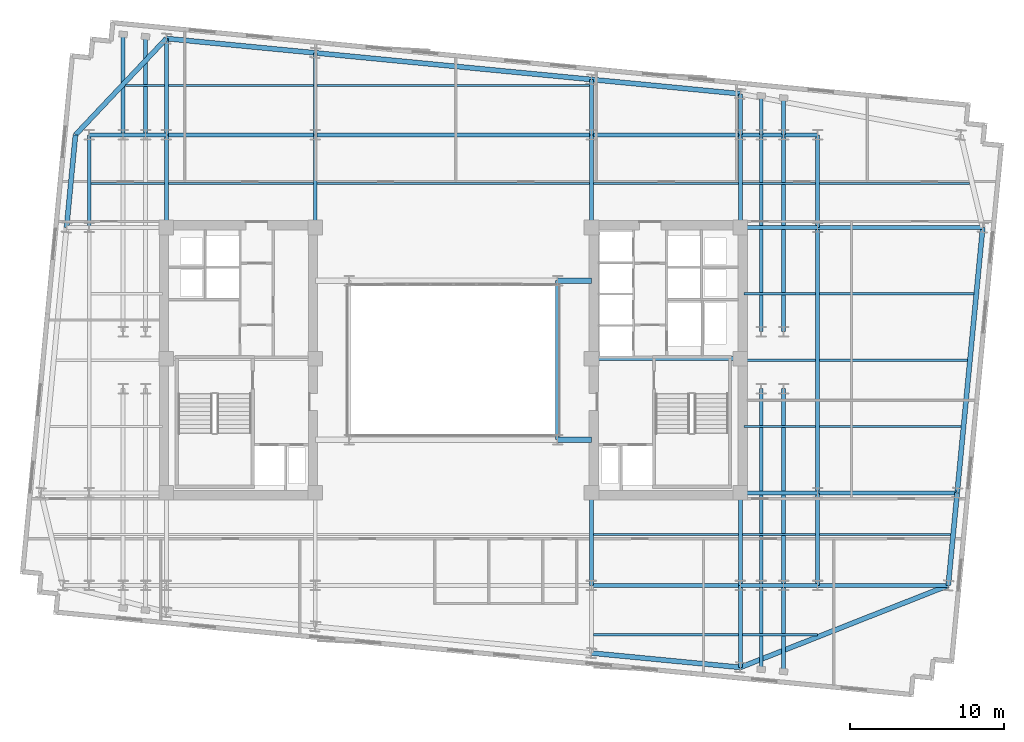
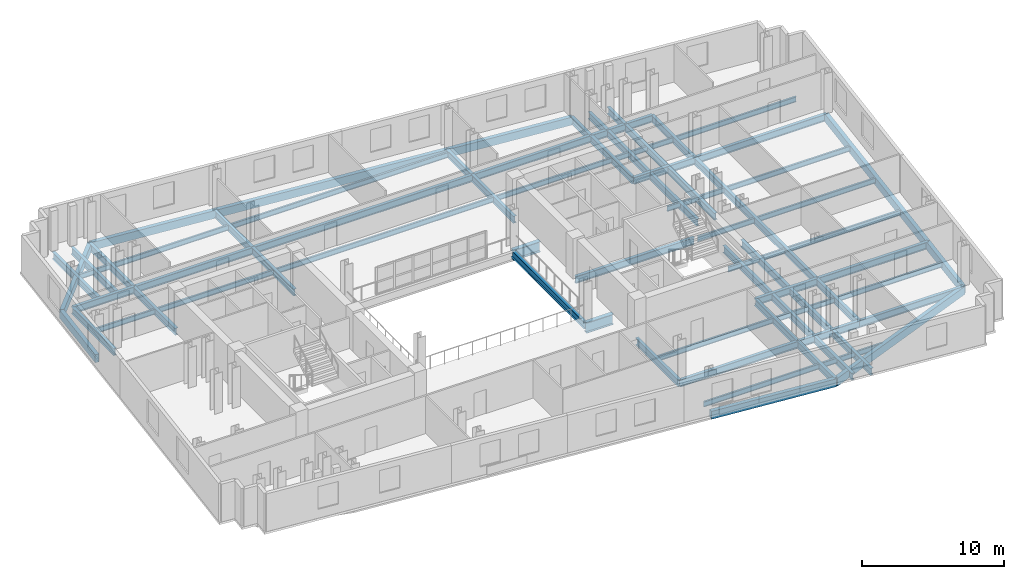
# One storey, part 3 of 10: 70 beams.
"""IFC4 building model written with IfcOpenShell, lengths in metres."""

from ifc_helpers import new_model, si_unit, direction, frame, origin, origin_2d, place, context, subcontext, project, spatial, rectangle, i_section, extrude, material, material_profile, profile_set, type_object, element, save


model = new_model("IFC4")

# Units and contexts
model_context = context("Model", 3, precision=1e-05, world=origin(), true_north=direction((0.0, 1.0)))
body_context = subcontext(model_context, "Body", "Model", "MODEL_VIEW")
ifc_project = project(units=[si_unit("LENGTHUNIT", "METRE"), si_unit("AREAUNIT", "SQUARE_METRE"), si_unit("VOLUMEUNIT", "CUBIC_METRE"), si_unit("PLANEANGLEUNIT", "RADIAN"), si_unit("MASSUNIT", "GRAM", prefix="KILO")], contexts=[model_context])

# Site, building, storey
site_placement = place(None, origin())
site = spatial("IfcSite", under=ifc_project, at=site_placement, CompositionType="ELEMENT")
building_placement = place(site_placement, origin())
building = spatial("IfcBuilding", under=site, at=building_placement, Name="Velakula Bourse", CompositionType="ELEMENT")
storey_placement = place(building_placement, frame((0.0, 0.0, 188.0)))
storey = spatial("IfcBuildingStorey", under=building, at=storey_placement, Name="L51", CompositionType="ELEMENT", Elevation=188.0)

# Beams
ifc_material_1 = material(Name="Steel IS 2062 Grade 350 (E350)", Category="steel")
ifc_material_profile_1 = material_profile(ifc_material_1, i_section(OverallWidth=0.25, OverallDepth=0.60009765625, WebThickness=0.01123046875, FlangeThickness=0.021240234375, at=origin_2d()), Name="Steel IS 2062 Grade 350 (E350)")
ifc_profile_set_1 = profile_set([ifc_material_profile_1], Name="Steel IS 2062 Grade 350 (E350)")
beam_type_1 = type_object("IfcBeamType", Name="BM-GRD-600M", PredefinedType="BEAM", material=ifc_profile_set_1)
beam_1_placement = place(storey_placement, frame((8.949951171875, 0.10009765625, -0.47998046875), z_axis=(1.0, 0.0, 0.0), x_axis=(0.0, 1.0, 0.0)))
element("IfcBeam", 1, at=beam_1_placement, inside=storey, type_object=beam_type_1, Name="L51 Primary Backbone Girder CRE-M", PredefinedType="BEAM", context=body_context, shape_type="SweptSolid", body=[
    extrude(i_section(OverallWidth=0.25, OverallDepth=0.60009765625, WebThickness=0.01123046875, FlangeThickness=0.021240234375, at=origin_2d()), origin(), (0.0, 0.0, 1.0), 9.650146484375),
])
beam_2_placement = place(storey_placement, frame((6.75, -5.14990234375, -0.47998046875), z_axis=(0.0, 1.0, 0.0), x_axis=(-1.0, 0.0, 0.0)))
element("IfcBeam", 2, at=beam_2_placement, inside=storey, type_object=beam_type_1, Name="L51 Primary Backbone Girder SPN-E", PredefinedType="BEAM", context=body_context, shape_type="SweptSolid", body=[
    extrude(i_section(OverallWidth=0.25, OverallDepth=0.60009765625, WebThickness=0.01123046875, FlangeThickness=0.021240234375, at=origin_2d()), origin(), (0.0, 0.0, 1.0), 10.2998046875),
])
for number, where, z_axis, x_axis, name in (
    (3, (-18.60009765625, 8.60009765625, -0.47998046875), (0.0, 1.0, 0.0), (-1.0, 0.0, 0.0), "L51 Fulcrum Grid Girder FLC-WN"),
    (4, (-8.949951171875, 8.60009765625, -0.47998046875), (0.0, 1.0, 0.0), (-1.0, 0.0, 0.0), "L51 Fulcrum Grid Girder FLC-WCN"),
    (5, (8.949951171875, -14.60009765625, -0.47998046875), (0.0, 1.0, 0.0), (-1.0, 0.0, 0.0), "L51 Fulcrum Grid Girder FLC-ECS"),
    (6, (8.949951171875, 8.60009765625, -0.47998046875), (0.0, 1.0, 0.0), (-1.0, 0.0, 0.0), "L51 Fulcrum Grid Girder FLC-ECN"),
    (7, (18.60009765625, -14.60009765625, -0.47998046875), (0.0, 1.0, 0.0), (-1.0, 0.0, 0.0), "L51 Fulcrum Grid Girder FLC-ES"),
    (8, (18.60009765625, 8.60009765625, -0.47998046875), (0.0, 1.0, 0.0), (-1.0, 0.0, 0.0), "L51 Fulcrum Grid Girder FLC-EN"),
):
    element("IfcBeam", number, at=place(storey_placement, frame(where, z_axis=z_axis, x_axis=x_axis)), inside=storey, type_object=beam_type_1, Name=name, PredefinedType="BEAM", context=body_context, shape_type="SweptSolid", body=[
        extrude(i_section(OverallWidth=0.25, OverallDepth=0.60009765625, WebThickness=0.01123046875, FlangeThickness=0.021240234375, at=origin_2d()), origin(), (0.0, 0.0, 1.0), 6.0),
    ])
for number, where, z_axis, x_axis, name in (
    (9, (8.949951171875, -14.60009765625, -0.47998046875), (1.0, 0.0, 0.0), (0.0, 1.0, 0.0), "L51 Fulcrum Grid Girder FLC-S3"),
    (10, (-18.60009765625, 14.60009765625, -0.47998046875), (1.0, 0.0, 0.0), (0.0, 1.0, 0.0), "L51 Fulcrum Grid Girder FLC-N1"),
):
    element("IfcBeam", number, at=place(storey_placement, frame(where, z_axis=z_axis, x_axis=x_axis)), inside=storey, type_object=beam_type_1, Name=name, PredefinedType="BEAM", context=body_context, shape_type="SweptSolid", body=[
        extrude(i_section(OverallWidth=0.25, OverallDepth=0.60009765625, WebThickness=0.01123046875, FlangeThickness=0.021240234375, at=origin_2d()), origin(), (0.0, 0.0, 1.0), 9.650146484375),
    ])
beam_3_placement = place(storey_placement, frame((-8.949951171875, 14.60009765625, -0.47998046875), z_axis=(1.0, 0.0, 0.0), x_axis=(0.0, 1.0, 0.0)))
element("IfcBeam", 11, at=beam_3_placement, inside=storey, type_object=beam_type_1, Name="L51 Fulcrum Grid Girder FLC-N2", PredefinedType="BEAM", context=body_context, shape_type="SweptSolid", body=[
    extrude(i_section(OverallWidth=0.25, OverallDepth=0.60009765625, WebThickness=0.01123046875, FlangeThickness=0.021240234375, at=origin_2d()), origin(), (0.0, 0.0, 1.0), 17.89990234375),
])
beam_4_placement = place(storey_placement, frame((8.949951171875, 14.60009765625, -0.47998046875), z_axis=(1.0, 0.0, 0.0), x_axis=(0.0, 1.0, 0.0)))
element("IfcBeam", 12, at=beam_4_placement, inside=storey, type_object=beam_type_1, Name="L51 Fulcrum Grid Girder FLC-N3", PredefinedType="BEAM", context=body_context, shape_type="SweptSolid", body=[
    extrude(i_section(OverallWidth=0.25, OverallDepth=0.60009765625, WebThickness=0.01123046875, FlangeThickness=0.021240234375, at=origin_2d()), origin(), (0.0, 0.0, 1.0), 9.650146484375),
])
for number, where, z_axis, x_axis, name in (
    (13, (19.949951171875, -14.60009765625, -0.47998046875), (0.0, 1.0, 0.0), (-1.0, 0.0, 0.0), "L51 Fulcrum Grid Girder FLC-PSE1"),
    (14, (19.949951171875, 1.85009765625, -0.47998046875), (0.0, 1.0, 0.0), (-1.0, 0.0, 0.0), "L51 Fulcrum Grid Girder FLC-PNE1"),
    (15, (21.39990234375, -14.60009765625, -0.47998046875), (0.0, 1.0, 0.0), (-1.0, 0.0, 0.0), "L51 Fulcrum Grid Girder FLC-PSE2"),
    (16, (21.39990234375, 1.85009765625, -0.47998046875), (0.0, 1.0, 0.0), (-1.0, 0.0, 0.0), "L51 Fulcrum Grid Girder FLC-PNE2"),
):
    element("IfcBeam", number, at=place(storey_placement, frame(where, z_axis=z_axis, x_axis=x_axis)), inside=storey, type_object=beam_type_1, Name=name, PredefinedType="BEAM", context=body_context, shape_type="SweptSolid", body=[
        extrude(i_section(OverallWidth=0.25, OverallDepth=0.60009765625, WebThickness=0.01123046875, FlangeThickness=0.021240234375, at=origin_2d()), origin(), (0.0, 0.0, 1.0), 12.75),
    ])
beam_5_placement = place(storey_placement, frame((-23.60009765625, 14.60009765625, -0.47998046875), z_axis=(1.0, 0.0, 0.0), x_axis=(0.0, 1.0, 0.0)))
element("IfcBeam", 17, at=beam_5_placement, inside=storey, type_object=beam_type_1, Name="L51 Fulcrum Grid Girder MWG-WN2", PredefinedType="BEAM", context=body_context, shape_type="SweptSolid", body=[
    extrude(i_section(OverallWidth=0.25, OverallDepth=0.60009765625, WebThickness=0.01123046875, FlangeThickness=0.021240234375, at=origin_2d()), origin(), (0.0, 0.0, 1.0), 5.0),
])
beam_6_placement = place(storey_placement, frame((-23.60009765625, 8.60009765625, -0.47998046875), z_axis=(0.0, 1.0, 0.0), x_axis=(-1.0, 0.0, 0.0)))
element("IfcBeam", 18, at=beam_6_placement, inside=storey, type_object=beam_type_1, Name="L51 Fulcrum Grid Girder MWG-WNS3", PredefinedType="BEAM", context=body_context, shape_type="SweptSolid", body=[
    extrude(i_section(OverallWidth=0.25, OverallDepth=0.60009765625, WebThickness=0.01123046875, FlangeThickness=0.021240234375, at=origin_2d()), origin(), (0.0, 0.0, 1.0), 6.0),
])
for number, where, z_axis, x_axis, name in (
    (19, (18.60009765625, -14.60009765625, -0.47998046875), (1.0, 0.0, 0.0), (0.0, 1.0, 0.0), "L51 Fulcrum Grid Girder MWG-ES1"),
    (20, (18.60009765625, -8.60009765625, -0.47998046875), (1.0, 0.0, 0.0), (0.0, 1.0, 0.0), "L51 Fulcrum Grid Girder MWG-ES2"),
    (21, (18.60009765625, 8.60009765625, -0.47998046875), (1.0, 0.0, 0.0), (0.0, 1.0, 0.0), "L51 Fulcrum Grid Girder MWG-EN1"),
    (22, (18.60009765625, 14.60009765625, -0.47998046875), (1.0, 0.0, 0.0), (0.0, 1.0, 0.0), "L51 Fulcrum Grid Girder MWG-EN2"),
):
    element("IfcBeam", number, at=place(storey_placement, frame(where, z_axis=z_axis, x_axis=x_axis)), inside=storey, type_object=beam_type_1, Name=name, PredefinedType="BEAM", context=body_context, shape_type="SweptSolid", body=[
        extrude(i_section(OverallWidth=0.25, OverallDepth=0.60009765625, WebThickness=0.01123046875, FlangeThickness=0.021240234375, at=origin_2d()), origin(), (0.0, 0.0, 1.0), 5.0),
    ])
beam_7_placement = place(storey_placement, frame((23.60009765625, -14.60009765625, -0.47998046875), z_axis=(0.0, 1.0, 0.0), x_axis=(-1.0, 0.0, 0.0)))
element("IfcBeam", 23, at=beam_7_placement, inside=storey, type_object=beam_type_1, Name="L51 Fulcrum Grid Girder MWG-ENS1", PredefinedType="BEAM", context=body_context, shape_type="SweptSolid", body=[
    extrude(i_section(OverallWidth=0.25, OverallDepth=0.60009765625, WebThickness=0.01123046875, FlangeThickness=0.021240234375, at=origin_2d()), origin(), (0.0, 0.0, 1.0), 6.0),
])
beam_8_placement = place(storey_placement, frame((23.60009765625, -8.60009765625, -0.47998046875), z_axis=(0.0, 1.0, 0.0), x_axis=(-1.0, 0.0, 0.0)))
element("IfcBeam", 24, at=beam_8_placement, inside=storey, type_object=beam_type_1, Name="L51 Fulcrum Grid Girder MWG-ENS2", PredefinedType="BEAM", context=body_context, shape_type="SweptSolid", body=[
    extrude(i_section(OverallWidth=0.25, OverallDepth=0.60009765625, WebThickness=0.01123046875, FlangeThickness=0.021240234375, at=origin_2d()), origin(), (0.0, 0.0, 1.0), 17.2001953125),
])
beam_9_placement = place(storey_placement, frame((23.60009765625, 8.60009765625, -0.47998046875), z_axis=(0.0, 1.0, 0.0), x_axis=(-1.0, 0.0, 0.0)))
element("IfcBeam", 25, at=beam_9_placement, inside=storey, type_object=beam_type_1, Name="L51 Fulcrum Grid Girder MWG-ENS3", PredefinedType="BEAM", context=body_context, shape_type="SweptSolid", body=[
    extrude(i_section(OverallWidth=0.25, OverallDepth=0.60009765625, WebThickness=0.01123046875, FlangeThickness=0.021240234375, at=origin_2d()), origin(), (0.0, 0.0, 1.0), 6.0),
])
beam_10_placement = place(storey_placement, frame((18.60009765625, -14.60009765625, -0.47998046875), z_axis=(0.0, -1.0, 0.0), x_axis=(1.0, 0.0, 0.0)))
element("IfcBeam", 26, at=beam_10_placement, inside=storey, type_object=beam_type_1, Name="L51 Perimeter Tie Girder S4", PredefinedType="BEAM", context=body_context, shape_type="SweptSolid", body=[
    extrude(i_section(OverallWidth=0.25, OverallDepth=0.60009765625, WebThickness=0.01123046875, FlangeThickness=0.021240234375, at=origin_2d()), origin(), (0.0, 0.0, 1.0), 5.310546875),
])
beam_11_placement = place(storey_placement, frame((-18.60009765625, 14.60009765625, -0.47998046875), z_axis=(0.0, 1.0, 0.0), x_axis=(-1.0, 0.0, 0.0)))
element("IfcBeam", 27, at=beam_11_placement, inside=storey, type_object=beam_type_1, Name="L51 Perimeter Tie Girder N1", PredefinedType="BEAM", context=body_context, shape_type="SweptSolid", body=[
    extrude(i_section(OverallWidth=0.25, OverallDepth=0.60009765625, WebThickness=0.01123046875, FlangeThickness=0.021240234375, at=origin_2d()), origin(), (0.0, 0.0, 1.0), 6.2421875),
])
beam_12_placement = place(storey_placement, frame((-8.949951171875, 14.60009765625, -0.47998046875), z_axis=(0.0, 1.0, 0.0), x_axis=(-1.0, 0.0, 0.0)))
element("IfcBeam", 28, at=beam_12_placement, inside=storey, type_object=beam_type_1, Name="L51 Perimeter Tie Girder N2", PredefinedType="BEAM", context=body_context, shape_type="SweptSolid", body=[
    extrude(i_section(OverallWidth=0.25, OverallDepth=0.60009765625, WebThickness=0.01123046875, FlangeThickness=0.021240234375, at=origin_2d()), origin(), (0.0, 0.0, 1.0), 5.31298828125),
])
beam_13_placement = place(storey_placement, frame((8.949951171875, 14.60009765625, -0.47998046875), z_axis=(0.0, 1.0, 0.0), x_axis=(-1.0, 0.0, 0.0)))
element("IfcBeam", 29, at=beam_13_placement, inside=storey, type_object=beam_type_1, Name="L51 Perimeter Tie Girder N3", PredefinedType="BEAM", context=body_context, shape_type="SweptSolid", body=[
    extrude(i_section(OverallWidth=0.25, OverallDepth=0.60009765625, WebThickness=0.01123046875, FlangeThickness=0.021240234375, at=origin_2d()), origin(), (0.0, 0.0, 1.0), 3.589599609375),
])
beam_14_placement = place(storey_placement, frame((18.60009765625, 14.60009765625, -0.47998046875), z_axis=(0.0, 1.0, 0.0), x_axis=(-1.0, 0.0, 0.0)))
element("IfcBeam", 30, at=beam_14_placement, inside=storey, type_object=beam_type_1, Name="L51 Perimeter Tie Girder N4", PredefinedType="BEAM", context=body_context, shape_type="SweptSolid", body=[
    extrude(i_section(OverallWidth=0.25, OverallDepth=0.60009765625, WebThickness=0.01123046875, FlangeThickness=0.021240234375, at=origin_2d()), origin(), (0.0, 0.0, 1.0), 2.660400390625),
])
beam_15_placement = place(storey_placement, frame((23.60009765625, -14.60009765625, -0.47998046875), z_axis=(1.0, 0.0, 0.0), x_axis=(0.0, 1.0, 0.0)))
element("IfcBeam", 31, at=beam_15_placement, inside=storey, type_object=beam_type_1, Name="L51 Perimeter Tie Girder E1", PredefinedType="BEAM", context=body_context, shape_type="SweptSolid", body=[
    extrude(i_section(OverallWidth=0.25, OverallDepth=0.60009765625, WebThickness=0.01123046875, FlangeThickness=0.021240234375, at=origin_2d()), origin(), (0.0, 0.0, 1.0), 8.47119140625),
])
beam_16_placement = place(storey_placement, frame((23.60009765625, -8.60009765625, -0.47998046875), z_axis=(1.0, 0.0, 0.0), x_axis=(0.0, 1.0, 0.0)))
element("IfcBeam", 32, at=beam_16_placement, inside=storey, type_object=beam_type_1, Name="L51 Perimeter Tie Girder E2", PredefinedType="BEAM", context=body_context, shape_type="SweptSolid", body=[
    extrude(i_section(OverallWidth=0.25, OverallDepth=0.60009765625, WebThickness=0.01123046875, FlangeThickness=0.021240234375, at=origin_2d()), origin(), (0.0, 0.0, 1.0), 9.048828125),
])
beam_17_placement = place(storey_placement, frame((23.60009765625, 8.60009765625, -0.47998046875), z_axis=(1.0, 0.0, 0.0), x_axis=(0.0, 1.0, 0.0)))
element("IfcBeam", 33, at=beam_17_placement, inside=storey, type_object=beam_type_1, Name="L51 Perimeter Tie Girder E3", PredefinedType="BEAM", context=body_context, shape_type="SweptSolid", body=[
    extrude(i_section(OverallWidth=0.25, OverallDepth=0.60009765625, WebThickness=0.01123046875, FlangeThickness=0.021240234375, at=origin_2d()), origin(), (0.0, 0.0, 1.0), 10.705078125),
])
beam_18_placement = place(storey_placement, frame((19.949951171875, -14.60009765625, -0.47998046875), z_axis=(0.0, -1.0, 0.0), x_axis=(1.0, 0.0, 0.0)))
element("IfcBeam", 34, at=beam_18_placement, inside=storey, type_object=beam_type_1, Name="L51 Perimeter Tie Girder P03", PredefinedType="BEAM", context=body_context, shape_type="SweptSolid", body=[
    extrude(i_section(OverallWidth=0.25, OverallDepth=0.60009765625, WebThickness=0.01123046875, FlangeThickness=0.021240234375, at=origin_2d()), origin(), (0.0, 0.0, 1.0), 5.4404296875),
])
beam_19_placement = place(storey_placement, frame((21.39990234375, -14.60009765625, -0.47998046875), z_axis=(0.0, -1.0, 0.0), x_axis=(1.0, 0.0, 0.0)))
element("IfcBeam", 35, at=beam_19_placement, inside=storey, type_object=beam_type_1, Name="L51 Perimeter Tie Girder P04", PredefinedType="BEAM", context=body_context, shape_type="SweptSolid", body=[
    extrude(i_section(OverallWidth=0.25, OverallDepth=0.60009765625, WebThickness=0.01123046875, FlangeThickness=0.021240234375, at=origin_2d()), origin(), (0.0, 0.0, 1.0), 5.580322265625),
])
beam_20_placement = place(storey_placement, frame((-21.39990234375, 14.60009765625, -0.47998046875), z_axis=(0.0, 1.0, 0.0), x_axis=(-1.0, 0.0, 0.0)))
element("IfcBeam", 36, at=beam_20_placement, inside=storey, type_object=beam_type_1, Name="L51 Perimeter Tie Girder P05", PredefinedType="BEAM", context=body_context, shape_type="SweptSolid", body=[
    extrude(i_section(OverallWidth=0.25, OverallDepth=0.60009765625, WebThickness=0.01123046875, FlangeThickness=0.021240234375, at=origin_2d()), origin(), (0.0, 0.0, 1.0), 6.511962890625),
])
beam_21_placement = place(storey_placement, frame((-19.949951171875, 14.60009765625, -0.47998046875), z_axis=(0.0, 1.0, 0.0), x_axis=(-1.0, 0.0, 0.0)))
element("IfcBeam", 37, at=beam_21_placement, inside=storey, type_object=beam_type_1, Name="L51 Perimeter Tie Girder P06", PredefinedType="BEAM", context=body_context, shape_type="SweptSolid", body=[
    extrude(i_section(OverallWidth=0.25, OverallDepth=0.60009765625, WebThickness=0.01123046875, FlangeThickness=0.021240234375, at=origin_2d()), origin(), (0.0, 0.0, 1.0), 6.372314453125),
])
beam_22_placement = place(storey_placement, frame((19.949951171875, 14.60009765625, -0.47998046875), z_axis=(0.0, 1.0, 0.0), x_axis=(-1.0, 0.0, 0.0)))
element("IfcBeam", 38, at=beam_22_placement, inside=storey, type_object=beam_type_1, Name="L51 Perimeter Tie Girder P07", PredefinedType="BEAM", context=body_context, shape_type="SweptSolid", body=[
    extrude(i_section(OverallWidth=0.25, OverallDepth=0.60009765625, WebThickness=0.01123046875, FlangeThickness=0.021240234375, at=origin_2d()), origin(), (0.0, 0.0, 1.0), 2.530517578125),
])
beam_23_placement = place(storey_placement, frame((21.39990234375, 14.60009765625, -0.47998046875), z_axis=(0.0, 1.0, 0.0), x_axis=(-1.0, 0.0, 0.0)))
element("IfcBeam", 39, at=beam_23_placement, inside=storey, type_object=beam_type_1, Name="L51 Perimeter Tie Girder P08", PredefinedType="BEAM", context=body_context, shape_type="SweptSolid", body=[
    extrude(i_section(OverallWidth=0.25, OverallDepth=0.60009765625, WebThickness=0.01123046875, FlangeThickness=0.021240234375, at=origin_2d()), origin(), (0.0, 0.0, 1.0), 2.390869140625),
])
ifc_material_profile_2 = material_profile(ifc_material_1, i_section(OverallWidth=0.35009765625, OverallDepth=0.89990234375, WebThickness=0.02001953125, FlangeThickness=0.031982421875, at=origin_2d()), Name="Steel IS 2062 Grade 350 (E350)")
ifc_profile_set_2 = profile_set([ifc_material_profile_2], Name="Steel IS 2062 Grade 350 (E350)")
beam_type_2 = type_object("IfcBeamType", Name="BM-LNK-900", PredefinedType="BEAM", material=ifc_profile_set_2)
for number, where, z_axis, x_axis, name in (
    (40, (6.75, -5.14990234375, -0.6298828125), (1.0, 0.0, 0.0), (0.0, 1.0, 0.0), "L51 Primary Backbone Girder LNK-S3"),
    (41, (6.75, 5.14990234375, -0.6298828125), (1.0, 0.0, 0.0), (0.0, 1.0, 0.0), "L51 Primary Backbone Girder LNK-N3"),
):
    element("IfcBeam", number, at=place(storey_placement, frame(where, z_axis=z_axis, x_axis=x_axis)), inside=storey, type_object=beam_type_2, Name=name, PredefinedType="BEAM", context=body_context, shape_type="SweptSolid", body=[
        extrude(i_section(OverallWidth=0.35009765625, OverallDepth=0.89990234375, WebThickness=0.02001953125, FlangeThickness=0.031982421875, at=origin_2d()), origin(), (0.0, 0.0, 1.0), 2.199951171875),
    ])
ifc_material_profile_3 = material_profile(ifc_material_1, i_section(OverallWidth=0.14990234375, OverallDepth=0.449951171875, WebThickness=0.009521484375, FlangeThickness=0.017333984375, at=origin_2d()), Name="Steel IS 2062 Grade 350 (E350)")
ifc_profile_set_3 = profile_set([ifc_material_profile_3], Name="Steel IS 2062 Grade 350 (E350)")
beam_type_3 = type_object("IfcBeamType", Name="JST-TWR-450", PredefinedType="JOIST", material=ifc_profile_set_3)
beam_24_placement = place(storey_placement, frame((9.074951171875, -17.800048828125, -0.405029296875), z_axis=(1.0, 0.0, 0.0), x_axis=(0.0, 1.0, 0.0)))
element("IfcBeam", 42, at=beam_24_placement, inside=storey, type_object=beam_type_3, Name="L51 Trading Floor Composite Joist 02", PredefinedType="JOIST", context=body_context, shape_type="SweptSolid", body=[
    extrude(i_section(OverallWidth=0.14990234375, OverallDepth=0.449951171875, WebThickness=0.009521484375, FlangeThickness=0.017333984375, at=origin_2d()), origin(), (0.0, 0.0, 1.0), 9.400146484375),
])
beam_25_placement = place(storey_placement, frame((18.72509765625, -17.800048828125, -0.405029296875), z_axis=(1.0, 0.0, 0.0), x_axis=(0.0, 1.0, 0.0)))
element("IfcBeam", 43, at=beam_25_placement, inside=storey, type_object=beam_type_3, Name="L51 Trading Floor Composite Joist 03", PredefinedType="JOIST", context=body_context, shape_type="SweptSolid", body=[
    extrude(i_section(OverallWidth=0.14990234375, OverallDepth=0.449951171875, WebThickness=0.009521484375, FlangeThickness=0.017333984375, at=origin_2d()), origin(), (0.0, 0.0, 1.0), 4.875),
])
beam_26_placement = place(storey_placement, frame((9.074951171875, -11.300048828125, -0.405029296875), z_axis=(1.0, 0.0, 0.0), x_axis=(0.0, 1.0, 0.0)))
element("IfcBeam", 44, at=beam_26_placement, inside=storey, type_object=beam_type_3, Name="L51 Trading Floor Composite Joist 08", PredefinedType="JOIST", context=body_context, shape_type="SweptSolid", body=[
    extrude(i_section(OverallWidth=0.14990234375, OverallDepth=0.449951171875, WebThickness=0.009521484375, FlangeThickness=0.017333984375, at=origin_2d()), origin(), (0.0, 0.0, 1.0), 9.400146484375),
])
beam_27_placement = place(storey_placement, frame((18.72509765625, -11.300048828125, -0.405029296875), z_axis=(1.0, 0.0, 0.0), x_axis=(0.0, 1.0, 0.0)))
element("IfcBeam", 45, at=beam_27_placement, inside=storey, type_object=beam_type_3, Name="L51 Trading Floor Composite Joist 09", PredefinedType="JOIST", context=body_context, shape_type="SweptSolid", body=[
    extrude(i_section(OverallWidth=0.14990234375, OverallDepth=0.449951171875, WebThickness=0.009521484375, FlangeThickness=0.017333984375, at=origin_2d()), origin(), (0.0, 0.0, 1.0), 4.75),
])
beam_28_placement = place(storey_placement, frame((23.72509765625, -11.300048828125, -0.405029296875), z_axis=(1.0, 0.0, 0.0), x_axis=(0.0, 1.0, 0.0)))
element("IfcBeam", 46, at=beam_28_placement, inside=storey, type_object=beam_type_3, Name="L51 Trading Floor Composite Joist 10", PredefinedType="JOIST", context=body_context, shape_type="SweptSolid", body=[
    extrude(i_section(OverallWidth=0.14990234375, OverallDepth=0.449951171875, WebThickness=0.009521484375, FlangeThickness=0.017333984375, at=origin_2d()), origin(), (0.0, 0.0, 1.0), 8.503173828125),
])
beam_29_placement = place(storey_placement, frame((-23.47509765625, 11.449951171875, -0.405029296875), z_axis=(1.0, 0.0, 0.0), x_axis=(0.0, 1.0, 0.0)))
element("IfcBeam", 47, at=beam_29_placement, inside=storey, type_object=beam_type_3, Name="L51 Trading Floor Composite Joist 11", PredefinedType="JOIST", context=body_context, shape_type="SweptSolid", body=[
    extrude(i_section(OverallWidth=0.14990234375, OverallDepth=0.449951171875, WebThickness=0.009521484375, FlangeThickness=0.017333984375, at=origin_2d()), origin(), (0.0, 0.0, 1.0), 4.75),
])
beam_30_placement = place(storey_placement, frame((-18.47509765625, 11.449951171875, -0.405029296875), z_axis=(1.0, 0.0, 0.0), x_axis=(0.0, 1.0, 0.0)))
element("IfcBeam", 48, at=beam_30_placement, inside=storey, type_object=beam_type_3, Name="L51 Trading Floor Composite Joist 12", PredefinedType="JOIST", context=body_context, shape_type="SweptSolid", body=[
    extrude(i_section(OverallWidth=0.14990234375, OverallDepth=0.449951171875, WebThickness=0.009521484375, FlangeThickness=0.017333984375, at=origin_2d()), origin(), (0.0, 0.0, 1.0), 9.400146484375),
])
beam_31_placement = place(storey_placement, frame((-8.824951171875, 11.449951171875, -0.405029296875), z_axis=(1.0, 0.0, 0.0), x_axis=(0.0, 1.0, 0.0)))
element("IfcBeam", 49, at=beam_31_placement, inside=storey, type_object=beam_type_3, Name="L51 Trading Floor Composite Joist 13", PredefinedType="JOIST", context=body_context, shape_type="SweptSolid", body=[
    extrude(i_section(OverallWidth=0.14990234375, OverallDepth=0.449951171875, WebThickness=0.009521484375, FlangeThickness=0.017333984375, at=origin_2d()), origin(), (0.0, 0.0, 1.0), 17.64990234375),
])
beam_32_placement = place(storey_placement, frame((9.074951171875, 11.449951171875, -0.405029296875), z_axis=(1.0, 0.0, 0.0), x_axis=(0.0, 1.0, 0.0)))
element("IfcBeam", 50, at=beam_32_placement, inside=storey, type_object=beam_type_3, Name="L51 Trading Floor Composite Joist 14", PredefinedType="JOIST", context=body_context, shape_type="SweptSolid", body=[
    extrude(i_section(OverallWidth=0.14990234375, OverallDepth=0.449951171875, WebThickness=0.009521484375, FlangeThickness=0.017333984375, at=origin_2d()), origin(), (0.0, 0.0, 1.0), 9.400146484375),
])
beam_33_placement = place(storey_placement, frame((18.72509765625, 11.449951171875, -0.405029296875), z_axis=(1.0, 0.0, 0.0), x_axis=(0.0, 1.0, 0.0)))
element("IfcBeam", 51, at=beam_33_placement, inside=storey, type_object=beam_type_3, Name="L51 Trading Floor Composite Joist 15", PredefinedType="JOIST", context=body_context, shape_type="SweptSolid", body=[
    extrude(i_section(OverallWidth=0.14990234375, OverallDepth=0.449951171875, WebThickness=0.009521484375, FlangeThickness=0.017333984375, at=origin_2d()), origin(), (0.0, 0.0, 1.0), 4.75),
])
beam_34_placement = place(storey_placement, frame((23.72509765625, 11.449951171875, -0.405029296875), z_axis=(1.0, 0.0, 0.0), x_axis=(0.0, 1.0, 0.0)))
element("IfcBeam", 52, at=beam_34_placement, inside=storey, type_object=beam_type_3, Name="L51 Trading Floor Composite Joist 16", PredefinedType="JOIST", context=body_context, shape_type="SweptSolid", body=[
    extrude(i_section(OverallWidth=0.14990234375, OverallDepth=0.449951171875, WebThickness=0.009521484375, FlangeThickness=0.017333984375, at=origin_2d()), origin(), (0.0, 0.0, 1.0), 9.735595703125),
])
beam_35_placement = place(storey_placement, frame((-21.2509765625, 17.800048828125, -0.405029296875), z_axis=(1.0, 0.0, 0.0), x_axis=(0.0, 1.0, 0.0)))
element("IfcBeam", 53, at=beam_35_placement, inside=storey, type_object=beam_type_3, Name="L51 Trading Floor Composite Joist 17", PredefinedType="JOIST", context=body_context, shape_type="SweptSolid", body=[
    extrude(i_section(OverallWidth=0.14990234375, OverallDepth=0.449951171875, WebThickness=0.009521484375, FlangeThickness=0.017333984375, at=origin_2d()), origin(), (0.0, 0.0, 1.0), 2.52587890625),
])
beam_36_placement = place(storey_placement, frame((-18.47509765625, 17.800048828125, -0.405029296875), z_axis=(1.0, 0.0, 0.0), x_axis=(0.0, 1.0, 0.0)))
element("IfcBeam", 54, at=beam_36_placement, inside=storey, type_object=beam_type_3, Name="L51 Trading Floor Composite Joist 18", PredefinedType="JOIST", context=body_context, shape_type="SweptSolid", body=[
    extrude(i_section(OverallWidth=0.14990234375, OverallDepth=0.449951171875, WebThickness=0.009521484375, FlangeThickness=0.017333984375, at=origin_2d()), origin(), (0.0, 0.0, 1.0), 9.400146484375),
])
beam_37_placement = place(storey_placement, frame((-8.824951171875, 17.800048828125, -0.405029296875), z_axis=(1.0, 0.0, 0.0), x_axis=(0.0, 1.0, 0.0)))
element("IfcBeam", 55, at=beam_37_placement, inside=storey, type_object=beam_type_3, Name="L51 Trading Floor Composite Joist 19", PredefinedType="JOIST", context=body_context, shape_type="SweptSolid", body=[
    extrude(i_section(OverallWidth=0.14990234375, OverallDepth=0.449951171875, WebThickness=0.009521484375, FlangeThickness=0.017333984375, at=origin_2d()), origin(), (0.0, 0.0, 1.0), 17.64990234375),
])
beam_38_placement = place(storey_placement, frame((18.85009765625, -4.300048828125, -0.405029296875), z_axis=(1.0, 0.0, 0.0), x_axis=(0.0, 1.0, 0.0)))
element("IfcBeam", 56, at=beam_38_placement, inside=storey, type_object=beam_type_3, Name="L51 Trading Floor Composite Joist 23", PredefinedType="JOIST", context=body_context, shape_type="SweptSolid", body=[
    extrude(i_section(OverallWidth=0.14990234375, OverallDepth=0.449951171875, WebThickness=0.009521484375, FlangeThickness=0.017333984375, at=origin_2d()), origin(), (0.0, 0.0, 1.0), 4.625),
])
beam_39_placement = place(storey_placement, frame((23.72509765625, -4.300048828125, -0.405029296875), z_axis=(1.0, 0.0, 0.0), x_axis=(0.0, 1.0, 0.0)))
element("IfcBeam", 57, at=beam_39_placement, inside=storey, type_object=beam_type_3, Name="L51 Trading Floor Composite Joist 24", PredefinedType="JOIST", context=body_context, shape_type="SweptSolid", body=[
    extrude(i_section(OverallWidth=0.14990234375, OverallDepth=0.449951171875, WebThickness=0.009521484375, FlangeThickness=0.017333984375, at=origin_2d()), origin(), (0.0, 0.0, 1.0), 9.17724609375),
])
beam_40_placement = place(storey_placement, frame((18.85009765625, 0.0, -0.405029296875), z_axis=(1.0, 0.0, 0.0), x_axis=(0.0, 1.0, 0.0)))
element("IfcBeam", 58, at=beam_40_placement, inside=storey, type_object=beam_type_3, Name="L51 Trading Floor Composite Joist 27", PredefinedType="JOIST", context=body_context, shape_type="SweptSolid", body=[
    extrude(i_section(OverallWidth=0.14990234375, OverallDepth=0.449951171875, WebThickness=0.009521484375, FlangeThickness=0.017333984375, at=origin_2d()), origin(), (0.0, 0.0, 1.0), 4.625),
])
beam_41_placement = place(storey_placement, frame((23.72509765625, 0.0, -0.405029296875), z_axis=(1.0, 0.0, 0.0), x_axis=(0.0, 1.0, 0.0)))
element("IfcBeam", 59, at=beam_41_placement, inside=storey, type_object=beam_type_3, Name="L51 Trading Floor Composite Joist 28", PredefinedType="JOIST", context=body_context, shape_type="SweptSolid", body=[
    extrude(i_section(OverallWidth=0.14990234375, OverallDepth=0.449951171875, WebThickness=0.009521484375, FlangeThickness=0.017333984375, at=origin_2d()), origin(), (0.0, 0.0, 1.0), 9.59130859375),
])
beam_42_placement = place(storey_placement, frame((18.85009765625, 4.300048828125, -0.405029296875), z_axis=(1.0, 0.0, 0.0), x_axis=(0.0, 1.0, 0.0)))
element("IfcBeam", 60, at=beam_42_placement, inside=storey, type_object=beam_type_3, Name="L51 Trading Floor Composite Joist 30", PredefinedType="JOIST", context=body_context, shape_type="SweptSolid", body=[
    extrude(i_section(OverallWidth=0.14990234375, OverallDepth=0.449951171875, WebThickness=0.009521484375, FlangeThickness=0.017333984375, at=origin_2d()), origin(), (0.0, 0.0, 1.0), 4.625),
])
beam_43_placement = place(storey_placement, frame((23.72509765625, 4.300048828125, -0.405029296875), z_axis=(1.0, 0.0, 0.0), x_axis=(0.0, 1.0, 0.0)))
element("IfcBeam", 61, at=beam_43_placement, inside=storey, type_object=beam_type_3, Name="L51 Trading Floor Composite Joist 31", PredefinedType="JOIST", context=body_context, shape_type="SweptSolid", body=[
    extrude(i_section(OverallWidth=0.14990234375, OverallDepth=0.449951171875, WebThickness=0.009521484375, FlangeThickness=0.017333984375, at=origin_2d()), origin(), (0.0, 0.0, 1.0), 10.005126953125),
])
ifc_material_2 = material(Name="Precast concrete M45 (fck 45 MPa)", Category="concrete")
ifc_material_profile_4 = material_profile(ifc_material_2, rectangle(XDim=0.320068359375, YDim=0.679931640625, at=origin_2d()), Name="Precast concrete M45 (fck 45 MPa)")
ifc_profile_set_4 = profile_set([ifc_material_profile_4], Name="Precast concrete M45 (fck 45 MPa)")
beam_type_4 = type_object("IfcBeamType", Name="SPN-BRICK-680", PredefinedType="SPANDREL", material=ifc_profile_set_4)
for number, where, z_axis, x_axis, name in (
    (62, (8.949951171875, -18.9814453125, -0.52001953125), (0.99539623971, -0.095845323155, 0.0), (0.095845323155, 0.99539623971, 0.0), "L51 Brick-Faced Precast Spandrel S3-S4"),
    (63, (-18.60009765625, 20.84228515625, -0.52001953125), (0.99539623971, -0.095845323155, 0.0), (0.095845323155, 0.99539623971, 0.0), "L51 Brick-Faced Precast Spandrel N1-N2"),
):
    element("IfcBeam", number, at=place(storey_placement, frame(where, z_axis=z_axis, x_axis=x_axis)), inside=storey, type_object=beam_type_4, Name=name, PredefinedType="SPANDREL", context=body_context, shape_type="SweptSolid", body=[
        extrude(rectangle(XDim=0.320068359375, YDim=0.679931640625, at=origin_2d()), origin(), (0.0, 0.0, 1.0), 9.69482421875),
    ])
beam_44_placement = place(storey_placement, frame((-8.949951171875, 19.9130859375, -0.52001953125), z_axis=(0.995397131467, -0.095836061418, 0.0), x_axis=(0.095836061418, 0.995397131467, 0.0)))
element("IfcBeam", 64, at=beam_44_placement, inside=storey, type_object=beam_type_4, Name="L51 Brick-Faced Precast Spandrel N2-N3", PredefinedType="SPANDREL", context=body_context, shape_type="SweptSolid", body=[
    extrude(rectangle(XDim=0.320068359375, YDim=0.679931640625, at=origin_2d()), origin(), (0.0, 0.0, 1.0), 17.982666015625),
])
beam_45_placement = place(storey_placement, frame((8.949951171875, 18.189697265625, -0.52001953125), z_axis=(0.99539623971, -0.095845323155, 0.0), x_axis=(0.095845323155, 0.99539623971, 0.0)))
element("IfcBeam", 65, at=beam_45_placement, inside=storey, type_object=beam_type_4, Name="L51 Brick-Faced Precast Spandrel N3-N4", PredefinedType="SPANDREL", context=body_context, shape_type="SweptSolid", body=[
    extrude(rectangle(XDim=0.320068359375, YDim=0.679931640625, at=origin_2d()), origin(), (0.0, 0.0, 1.0), 9.69482421875),
])
for number, where, z_axis, x_axis, name in (
    (66, (-25.068115234375, 8.60009765625, -0.52001953125), (0.095829714309, 0.995397742541, 0.0), (-0.995397742541, 0.095829714309, 0.0), "L51 Brick-Faced Precast Spandrel W3-W4"),
    (67, (32.0712890625, -14.60009765625, -0.52001953125), (0.095829714309, 0.995397742541, 0.0), (-0.995397742541, 0.095829714309, 0.0), "L51 Brick-Faced Precast Spandrel E1-E2"),
):
    element("IfcBeam", number, at=place(storey_placement, frame(where, z_axis=z_axis, x_axis=x_axis)), inside=storey, type_object=beam_type_4, Name=name, PredefinedType="SPANDREL", context=body_context, shape_type="SweptSolid", body=[
        extrude(rectangle(XDim=0.320068359375, YDim=0.679931640625, at=origin_2d()), origin(), (0.0, 0.0, 1.0), 6.02783203125),
    ])
beam_46_placement = place(storey_placement, frame((32.64892578125, -8.60009765625, -0.52001953125), z_axis=(0.095849167925, 0.995395869495, 0.0), x_axis=(-0.995395869495, 0.095849167925, 0.0)))
element("IfcBeam", 68, at=beam_46_placement, inside=storey, type_object=beam_type_4, Name="L51 Brick-Faced Precast Spandrel E2-E3", PredefinedType="SPANDREL", context=body_context, shape_type="SweptSolid", body=[
    extrude(rectangle(XDim=0.320068359375, YDim=0.679931640625, at=origin_2d()), origin(), (0.0, 0.0, 1.0), 17.27978515625),
])
beam_47_placement = place(storey_placement, frame((18.60009765625, -19.91064453125, -0.52001953125), z_axis=(0.930320901537, 0.366746533949, 0.0), x_axis=(-0.366746533949, 0.930320901537, 0.0)))
element("IfcBeam", 69, at=beam_47_placement, inside=storey, type_object=beam_type_4, Name="L51 Brick-Faced Precast Spandrel S4-E1", PredefinedType="SPANDREL", context=body_context, shape_type="SweptSolid", body=[
    extrude(rectangle(XDim=0.320068359375, YDim=0.679931640625, at=origin_2d()), origin(), (0.0, 0.0, 1.0), 14.480224609375),
])
beam_48_placement = place(storey_placement, frame((-18.60009765625, 20.84228515625, -0.52001953125), z_axis=(-0.686314417505, -0.727304970645, 0.0), x_axis=(0.727304970645, -0.686314417505, 0.0)))
element("IfcBeam", 70, at=beam_48_placement, inside=storey, type_object=beam_type_4, Name="L51 Brick-Faced Precast Spandrel N1-W4", PredefinedType="SPANDREL", context=body_context, shape_type="SweptSolid", body=[
    extrude(rectangle(XDim=0.320068359375, YDim=0.679931640625, at=origin_2d()), origin(), (0.0, 0.0, 1.0), 8.58251953125),
])

save(model, "model.ifc")
